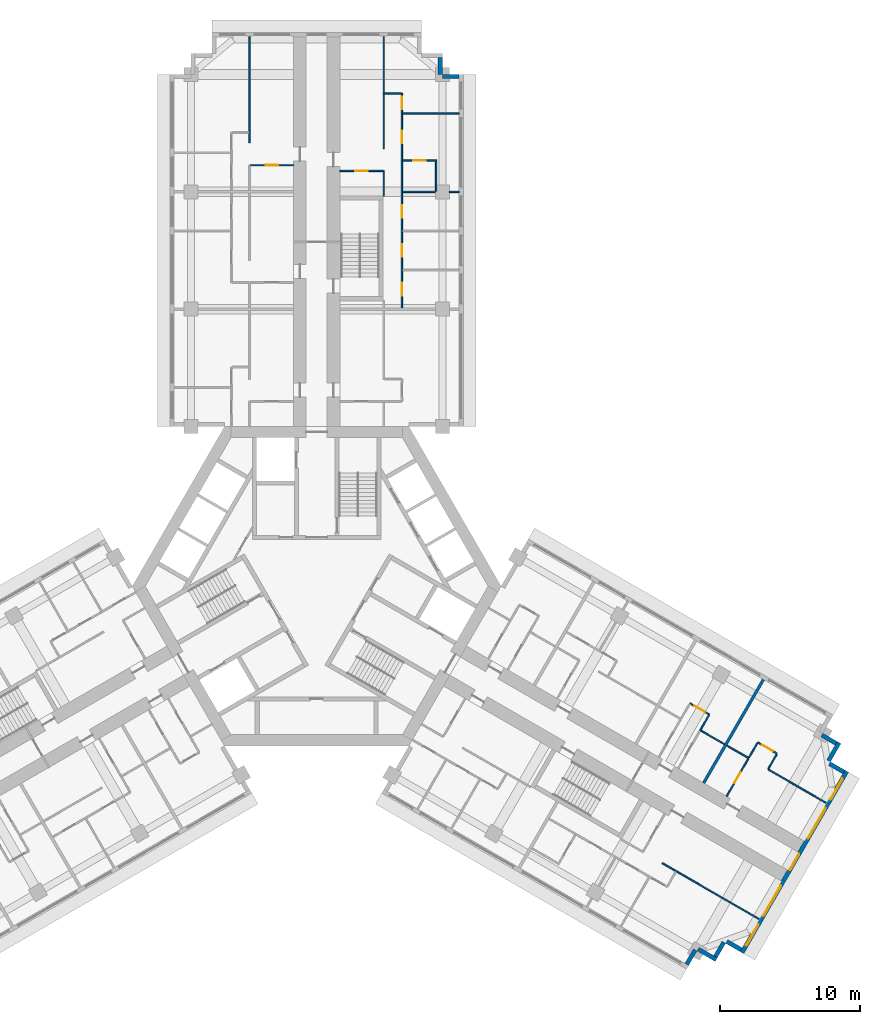
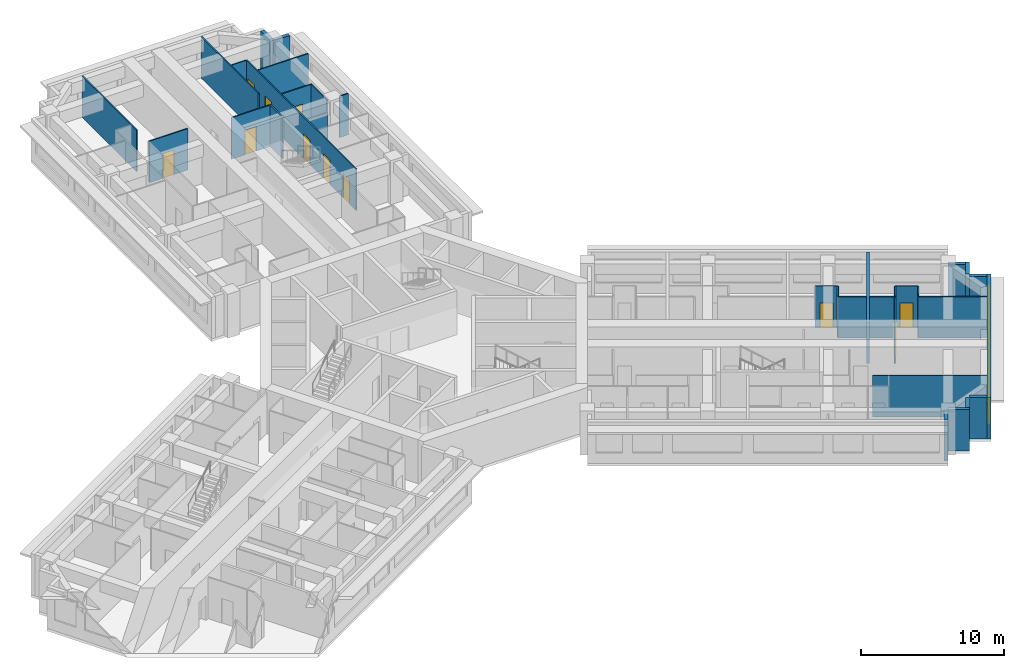
# One storey, part 10 of 12: 33 walls, 11 doors, 5 windows, 16 openings.
"""IFC4 building model written with IfcOpenShell, lengths in metres."""

from ifc_helpers import new_model, si_unit, direction, frame, frame_2d, origin, place, context, subcontext, project, spatial, rectangle, extrude, material, layer, layer_set, type_object, element, fill, save


model = new_model("IFC4")

# Units and contexts
model_context = context("Model", 3, precision=1e-05, world=origin(), true_north=direction((0.0, 1.0)))
body_context = subcontext(model_context, "Body", "Model", "MODEL_VIEW")
ifc_project = project(units=[si_unit("LENGTHUNIT", "METRE"), si_unit("AREAUNIT", "SQUARE_METRE"), si_unit("VOLUMEUNIT", "CUBIC_METRE"), si_unit("PLANEANGLEUNIT", "RADIAN"), si_unit("MASSUNIT", "GRAM", prefix="KILO")], contexts=[model_context])

# Site, building, storey
site_placement = place(None, origin())
site = spatial("IfcSite", under=ifc_project, at=site_placement, CompositionType="ELEMENT")
building_placement = place(site_placement, origin())
building = spatial("IfcBuilding", under=site, at=building_placement, Name="Impinga Residences", CompositionType="ELEMENT")
storey_placement = place(building_placement, frame((0.0, 0.0, 162.25)))
storey = spatial("IfcBuildingStorey", under=building, at=storey_placement, Name="L40", CompositionType="ELEMENT", Elevation=162.25)

# Walls
ifc_material_1 = material(Name="Terracotta rainscreen on blockwork", Category="masonry")
ifc_layer_1 = layer(ifc_material_1, 0.300048828125)
ifc_layer_set_1 = layer_set([ifc_layer_1], Name="EW1 external wall, terracotta rainscreen on blockwork 300")
wall_type_1 = type_object("IfcWallType", Name="EW1 external wall, terracotta rainscreen on blockwork 300", PredefinedType="SOLIDWALL", material=ifc_layer_set_1)
wall_1_placement = place(storey_placement, frame((8.85009765625, 37.83154296875, 0.0), z_axis=(0.0, 0.0, 1.0), x_axis=(0.0, -1.0, 0.0)))
element("IfcWall", 1, at=wall_1_placement, inside=storey, type_object=wall_type_1, Name="External wall EW1 L40", PredefinedType="SOLIDWALL", context=body_context, shape_type="SweptSolid", body=[
    extrude(rectangle(XDim=1.199951171875, YDim=0.300048828125, at=frame_2d((0.60009765625, 0.0))), origin(), (0.0, 0.0, 1.0), 3.530029296875),
])
for number, where, z_axis, x_axis, name in (
    (2, (9.0048828125, 36.4814453125, 0.0), (0.0, 0.0, 1.0), (1.0, 0.0, 0.0), "External wall EW1 L40"),
    (3, (36.153076171875, -10.654052734375, 0.0), (0.0, 0.0, 1.0), (0.866059708757, -0.499940577336, 0.0), "External wall EW1 L40"),
):
    element("IfcWall", number, at=place(storey_placement, frame(where, z_axis=z_axis, x_axis=x_axis)), inside=storey, type_object=wall_type_1, Name=name, PredefinedType="SOLIDWALL", context=body_context, shape_type="SweptSolid", body=[
        extrude(rectangle(XDim=1.195068359375, YDim=0.300048828125, at=frame_2d((0.59765625, 0.0))), origin(), (0.0, 0.0, 1.0), 3.530029296875),
    ])
wall_2_placement = place(storey_placement, frame((37.39306640625, -11.196533203125, 0.0), z_axis=(0.0, 0.0, 1.0), x_axis=(-0.499990139034, -0.866031096941, 0.0)))
element("IfcWall", 4, at=wall_2_placement, inside=storey, type_object=wall_type_1, Name="External wall EW1 L40", PredefinedType="SOLIDWALL", context=body_context, shape_type="SweptSolid", body=[
    extrude(rectangle(XDim=1.5, YDim=0.300048828125, at=frame_2d((0.75, 0.0))), origin(), (0.0, 0.0, 1.0), 3.530029296875),
])
wall_3_placement = place(storey_placement, frame((36.7021484375, -12.702880859375, 0.0), z_axis=(0.0, 0.0, 1.0), x_axis=(0.865971243484, -0.500093796661, 0.0)))
element("IfcWall", 5, at=wall_3_placement, inside=storey, type_object=wall_type_1, Name="External wall EW1 L40", PredefinedType="SOLIDWALL", context=body_context, shape_type="SweptSolid", body=[
    extrude(rectangle(XDim=1.195068359375, YDim=0.300048828125, at=frame_2d((0.59765625, 0.0))), origin(), (0.0, 0.0, 1.0), 3.530029296875),
])

# Wall, openings, windows
wall_4_placement = place(storey_placement, frame((37.94189453125, -13.24560546875, 0.0), z_axis=(0.0, 0.0, 1.0), x_axis=(-0.500004234368, -0.866022959057, 0.0)))
wall_4 = element("IfcWall", 6, at=wall_4_placement, inside=storey, type_object=wall_type_1, Name="External wall EW1 L40", PredefinedType="SOLIDWALL", context=body_context, shape_type="SweptSolid", body=[
    extrude(rectangle(XDim=14.999755859375, YDim=0.300048828125, at=frame_2d((7.5, 0.0))), origin(), (0.0, 0.0, 1.0), 3.530029296875),
])
opening_1_placement = place(wall_4_placement, frame((0.60009765625, 0.0, 0.89990234375)))
opening_1 = element("IfcOpeningElement", 7, at=opening_1_placement, cuts=wall_4, Name="Opening W1", PredefinedType="OPENING", context=body_context, shape_type="SweptSolid", body=[
    extrude(rectangle(XDim=1.75, YDim=2.050048828125, at=frame_2d((0.875, 1.02490234375))), frame((0.0, 0.159912109375, 0.0), z_axis=(0.0, -1.0, 0.0), x_axis=(1.0, 0.0, 0.0)), (0.0, 0.0, 1.0), 0.320068359375),
])
opening_2_placement = place(wall_4_placement, frame((3.050048828125, 0.0, 0.89990234375)))
opening_2 = element("IfcOpeningElement", 8, at=opening_2_placement, cuts=wall_4, Name="Opening W2", PredefinedType="OPENING", context=body_context, shape_type="SweptSolid", body=[
    extrude(rectangle(XDim=2.5, YDim=2.050048828125, at=frame_2d((1.25, 1.02490234375))), frame((0.0, 0.159912109375, 0.0), z_axis=(0.0, -1.0, 0.0), x_axis=(1.0, 0.0, 0.0)), (0.0, 0.0, 1.0), 0.320068359375),
])
opening_3_placement = place(wall_4_placement, frame((6.85009765625, 0.0, 0.89990234375)))
opening_3 = element("IfcOpeningElement", 9, at=opening_3_placement, cuts=wall_4, Name="Opening WE1", PredefinedType="OPENING", context=body_context, shape_type="SweptSolid", body=[
    extrude(rectangle(XDim=1.300048828125, YDim=2.050048828125, at=frame_2d((0.64990234375, 1.02490234375))), frame((0.0, 0.159912109375, 0.0), z_axis=(0.0, -1.0, 0.0), x_axis=(1.0, 0.0, 0.0)), (0.0, 0.0, 1.0), 0.320068359375),
])
opening_4_placement = place(wall_4_placement, frame((9.449951171875, 0.0, 0.89990234375)))
opening_4 = element("IfcOpeningElement", 10, at=opening_4_placement, cuts=wall_4, Name="Opening W2", PredefinedType="OPENING", context=body_context, shape_type="SweptSolid", body=[
    extrude(rectangle(XDim=2.5, YDim=2.050048828125, at=frame_2d((1.25, 1.02490234375))), frame((0.0, 0.159912109375, 0.0), z_axis=(0.0, -1.0, 0.0), x_axis=(1.0, 0.0, 0.0)), (0.0, 0.0, 1.0), 0.320068359375),
])
opening_5_placement = place(wall_4_placement, frame((12.64990234375, 0.0, 0.89990234375)))
opening_5 = element("IfcOpeningElement", 11, at=opening_5_placement, cuts=wall_4, Name="Opening W1", PredefinedType="OPENING", context=body_context, shape_type="SweptSolid", body=[
    extrude(rectangle(XDim=1.75, YDim=2.050048828125, at=frame_2d((0.875, 1.02490234375))), frame((0.0, 0.159912109375, 0.0), z_axis=(0.0, -1.0, 0.0), x_axis=(1.0, 0.0, 0.0)), (0.0, 0.0, 1.0), 0.320068359375),
])
ifc_material_2 = material(Name="Aluminium window, clear double glazing", Category="aluminium")
window_type_1 = type_object("IfcWindowType", Name="W1 ribbon window 1750x2050", PartitioningType="SINGLE_PANEL", PredefinedType="WINDOW", material=ifc_material_2)
window_1_placement = place(opening_1_placement, origin())
window_1 = element("IfcWindow", 12, at=window_1_placement, inside=storey, type_object=window_type_1, Name="Window L40", OverallHeight=2.050048828125, OverallWidth=1.75, PartitioningType="SINGLE_PANEL", PredefinedType="WINDOW", context=body_context, shape_type="SweptSolid", body=[
    extrude(rectangle(XDim=1.75, YDim=2.050048828125, at=frame_2d((0.875, 1.02490234375))), frame((0.0, 0.030029296875, 0.0), z_axis=(0.0, -1.0, 0.0), x_axis=(1.0, 0.0, 0.0)), (0.0, 0.0, 1.0), 0.06005859375),
])
fill(opening_1, window_1)
window_2_placement = place(opening_5_placement, origin())
window_2 = element("IfcWindow", 13, at=window_2_placement, inside=storey, type_object=window_type_1, Name="Window L40", OverallHeight=2.050048828125, OverallWidth=1.75, PartitioningType="SINGLE_PANEL", PredefinedType="WINDOW", context=body_context, shape_type="SweptSolid", body=[
    extrude(rectangle(XDim=1.75, YDim=2.050048828125, at=frame_2d((0.875, 1.02490234375))), frame((0.0, 0.030029296875, 0.0), z_axis=(0.0, -1.0, 0.0), x_axis=(1.0, 0.0, 0.0)), (0.0, 0.0, 1.0), 0.06005859375),
])
fill(opening_5, window_2)
window_type_2 = type_object("IfcWindowType", Name="W2 ribbon window 2500x2050", PartitioningType="SINGLE_PANEL", PredefinedType="WINDOW", material=ifc_material_2)
window_3_placement = place(opening_2_placement, origin())
window_3 = element("IfcWindow", 14, at=window_3_placement, inside=storey, type_object=window_type_2, Name="Window L40", OverallHeight=2.050048828125, OverallWidth=2.5, PartitioningType="SINGLE_PANEL", PredefinedType="WINDOW", context=body_context, shape_type="SweptSolid", body=[
    extrude(rectangle(XDim=2.5, YDim=2.050048828125, at=frame_2d((1.25, 1.02490234375))), frame((0.0, 0.030029296875, 0.0), z_axis=(0.0, -1.0, 0.0), x_axis=(1.0, 0.0, 0.0)), (0.0, 0.0, 1.0), 0.06005859375),
])
fill(opening_2, window_3)
window_4_placement = place(opening_4_placement, origin())
window_4 = element("IfcWindow", 15, at=window_4_placement, inside=storey, type_object=window_type_2, Name="Window L40", OverallHeight=2.050048828125, OverallWidth=2.5, PartitioningType="SINGLE_PANEL", PredefinedType="WINDOW", context=body_context, shape_type="SweptSolid", body=[
    extrude(rectangle(XDim=2.5, YDim=2.050048828125, at=frame_2d((1.25, 1.02490234375))), frame((0.0, 0.030029296875, 0.0), z_axis=(0.0, -1.0, 0.0), x_axis=(1.0, 0.0, 0.0)), (0.0, 0.0, 1.0), 0.06005859375),
])
fill(opening_4, window_4)
window_type_3 = type_object("IfcWindowType", Name="WE1 corridor window 1300x2050", PartitioningType="SINGLE_PANEL", PredefinedType="WINDOW", material=ifc_material_2)
window_5_placement = place(opening_3_placement, origin())
window_5 = element("IfcWindow", 16, at=window_5_placement, inside=storey, type_object=window_type_3, Name="Window L40", OverallHeight=2.050048828125, OverallWidth=1.300048828125, PartitioningType="SINGLE_PANEL", PredefinedType="WINDOW", context=body_context, shape_type="SweptSolid", body=[
    extrude(rectangle(XDim=1.300048828125, YDim=2.050048828125, at=frame_2d((0.64990234375, 1.02490234375))), frame((0.0, 0.030029296875, 0.0), z_axis=(0.0, -1.0, 0.0), x_axis=(1.0, 0.0, 0.0)), (0.0, 0.0, 1.0), 0.06005859375),
])
fill(opening_3, window_5)

# Walls
wall_5_placement = place(storey_placement, frame((30.38720703125, -26.031005859375, 0.0), z_axis=(0.0, 0.0, 1.0), x_axis=(-0.866059708757, 0.499940577336, 0.0)))
element("IfcWall", 17, at=wall_5_placement, inside=storey, type_object=wall_type_1, Name="External wall EW1 L40", PredefinedType="SOLIDWALL", context=body_context, shape_type="SweptSolid", body=[
    extrude(rectangle(XDim=1.195068359375, YDim=0.300048828125, at=frame_2d((0.59765625, 0.0))), origin(), (0.0, 0.0, 1.0), 3.530029296875),
])
wall_6_placement = place(storey_placement, frame((29.14306640625, -25.48583984375, 0.0), z_axis=(0.0, 0.0, 1.0), x_axis=(-0.500033551112, -0.866006032174, 0.0)))
element("IfcWall", 18, at=wall_6_placement, inside=storey, type_object=wall_type_1, Name="External wall EW1 L40", PredefinedType="SOLIDWALL", context=body_context, shape_type="SweptSolid", body=[
    extrude(rectangle(XDim=1.2001953125, YDim=0.300048828125, at=frame_2d((0.60009765625, 0.0))), origin(), (0.0, 0.0, 1.0), 3.530029296875),
])
wall_7_placement = place(storey_placement, frame((28.597900390625, -26.72998046875, 0.0), z_axis=(0.0, 0.0, 1.0), x_axis=(-0.866031096941, 0.499990139034, 0.0)))
element("IfcWall", 19, at=wall_7_placement, inside=storey, type_object=wall_type_1, Name="External wall EW1 L40", PredefinedType="SOLIDWALL", context=body_context, shape_type="SweptSolid", body=[
    extrude(rectangle(XDim=1.5, YDim=0.300048828125, at=frame_2d((0.75, 0.0))), origin(), (0.0, 0.0, 1.0), 3.530029296875),
])
wall_8_placement = place(storey_placement, frame((27.091552734375, -26.039306640625, 0.0), z_axis=(0.0, 0.0, 1.0), x_axis=(-0.500093796661, -0.865971243484, 0.0)))
element("IfcWall", 20, at=wall_8_placement, inside=storey, type_object=wall_type_1, Name="External wall EW1 L40", PredefinedType="SOLIDWALL", context=body_context, shape_type="SweptSolid", body=[
    extrude(rectangle(XDim=1.195068359375, YDim=0.300048828125, at=frame_2d((0.59765625, 0.0))), origin(), (0.0, 0.0, 1.0), 3.530029296875),
])
ifc_material_3 = material(Name="Gypsum board on steel studs", Category="steel")
ifc_layer_2 = layer(ifc_material_3, 0.10009765625)
ifc_layer_set_2 = layer_set([ifc_layer_2], Name="Gypsum board on steel studs")
wall_type_2 = type_object("IfcWallType", Name="IP1 partition 100", PredefinedType="PARTITIONING", material=ifc_layer_set_2)
wall_9_placement = place(storey_placement, frame((-4.800048828125, 31.7314453125, 0.0), z_axis=(0.0, 0.0, 1.0), x_axis=(0.0, 1.0, 0.0)))
element("IfcWall", 21, at=wall_9_placement, inside=storey, type_object=wall_type_2, Name="Partition L40-NA3:DIV1", PredefinedType="PARTITIONING", context=body_context, shape_type="SweptSolid", body=[
    extrude(rectangle(XDim=7.60009765625, YDim=0.10009765625, at=frame_2d((3.800048828125, 0.0))), origin(), (0.0, 0.0, 1.0), 3.530029296875),
])

# Wall, opening, door
wall_10_placement = place(storey_placement, frame((-1.64990234375, 30.131591796875, 0.0), z_axis=(0.0, 0.0, 1.0), x_axis=(-1.0, 0.0, 0.0)))
wall_10 = element("IfcWall", 22, at=wall_10_placement, inside=storey, type_object=wall_type_2, Name="Partition L40-NA3:IB1", PredefinedType="PARTITIONING", context=body_context, shape_type="SweptSolid", body=[
    extrude(rectangle(XDim=3.10009765625, YDim=0.10009765625, at=frame_2d((1.550048828125, 0.0))), origin(), (0.0, 0.0, 1.0), 3.530029296875),
])
opening_6_placement = place(wall_10_placement, frame((1.10009765625, 0.0, 0.0)))
opening_6 = element("IfcOpeningElement", 23, at=opening_6_placement, cuts=wall_10, Name="Opening D2", PredefinedType="OPENING", context=body_context, shape_type="SweptSolid", body=[
    extrude(rectangle(XDim=0.89990234375, YDim=2.10009765625, at=frame_2d((0.449951171875, 1.050048828125))), frame((0.0, 0.06005859375, 0.0), z_axis=(0.0, -1.0, 0.0), x_axis=(1.0, 0.0, 0.0)), (0.0, 0.0, 1.0), 0.1201171875),
])
ifc_material_4 = material(Name="Timber door set", Category="wood")
door_type = type_object("IfcDoorType", Name="D2 internal door 900x2100", OperationType="SINGLE_SWING_LEFT", PredefinedType="DOOR", material=ifc_material_4)
door_1_placement = place(opening_6_placement, origin())
door_1 = element("IfcDoor", 24, at=door_1_placement, inside=storey, type_object=door_type, Name="Apartment L40-NA3 bathroom door", OperationType="SINGLE_SWING_LEFT", OverallHeight=2.10009765625, OverallWidth=0.89990234375, PredefinedType="DOOR", context=body_context, shape_type="SweptSolid", body=[
    extrude(rectangle(XDim=0.89990234375, YDim=2.10009765625, at=frame_2d((0.449951171875, 1.050048828125))), frame((0.0, 0.02490234375, 0.0), z_axis=(0.0, -1.0, 0.0), x_axis=(1.0, 0.0, 0.0)), (0.0, 0.0, 1.0), 0.050048828125),
])
fill(opening_6, door_1)

# Walls
wall_11_placement = place(storey_placement, frame((4.800048828125, 27.931640625, 0.0), z_axis=(0.0, 0.0, 1.0), x_axis=(0.0, 1.0, 0.0)))
element("IfcWall", 25, at=wall_11_placement, inside=storey, type_object=wall_type_2, Name="Partition L40-NF2:DIV1", PredefinedType="PARTITIONING", context=body_context, shape_type="SweptSolid", body=[
    extrude(rectangle(XDim=1.7998046875, YDim=0.10009765625, at=frame_2d((0.89990234375, 0.0))), origin(), (0.0, 0.0, 1.0), 3.530029296875),
])
wall_12_placement = place(storey_placement, frame((4.800048828125, 31.33154296875, 0.0), z_axis=(0.0, 0.0, 1.0), x_axis=(0.0, 1.0, 0.0)))
element("IfcWall", 26, at=wall_12_placement, inside=storey, type_object=wall_type_2, Name="Partition L40-NF2:DIV2", PredefinedType="PARTITIONING", context=body_context, shape_type="SweptSolid", body=[
    extrude(rectangle(XDim=8.0, YDim=0.10009765625, at=frame_2d((4.0, 0.0))), origin(), (0.0, 0.0, 1.0), 3.530029296875),
])

# Wall, openings, doors
wall_13_placement = place(storey_placement, frame((6.10009765625, 19.931640625, 0.0), z_axis=(0.0, 0.0, 1.0), x_axis=(0.0, 1.0, 0.0)))
wall_13 = element("IfcWall", 27, at=wall_13_placement, inside=storey, type_object=wall_type_2, Name="Partition L40-NF2:STRIP", PredefinedType="PARTITIONING", context=body_context, shape_type="SweptSolid", body=[
    extrude(rectangle(XDim=15.349853515625, YDim=0.10009765625, at=frame_2d((7.6748046875, 0.0))), origin(), (0.0, 0.0, 1.0), 3.530029296875),
])
opening_7_placement = place(wall_13_placement, frame((0.875, 0.0, 0.0)))
opening_7 = element("IfcOpeningElement", 28, at=opening_7_placement, cuts=wall_13, Name="Opening D2", PredefinedType="OPENING", context=body_context, shape_type="SweptSolid", body=[
    extrude(rectangle(XDim=0.89990234375, YDim=2.10009765625, at=frame_2d((0.449951171875, 1.050048828125))), frame((0.0, 0.06005859375, 0.0), z_axis=(0.0, -1.0, 0.0), x_axis=(1.0, 0.0, 0.0)), (0.0, 0.0, 1.0), 0.1201171875),
])
opening_8_placement = place(wall_13_placement, frame((3.64990234375, 0.0, 0.0)))
opening_8 = element("IfcOpeningElement", 29, at=opening_8_placement, cuts=wall_13, Name="Opening D2", PredefinedType="OPENING", context=body_context, shape_type="SweptSolid", body=[
    extrude(rectangle(XDim=0.89990234375, YDim=2.10009765625, at=frame_2d((0.449951171875, 1.050048828125))), frame((0.0, 0.06005859375, 0.0), z_axis=(0.0, -1.0, 0.0), x_axis=(1.0, 0.0, 0.0)), (0.0, 0.0, 1.0), 0.1201171875),
])
opening_9_placement = place(wall_13_placement, frame((6.449951171875, 0.0, 0.0)))
opening_9 = element("IfcOpeningElement", 30, at=opening_9_placement, cuts=wall_13, Name="Opening D2", PredefinedType="OPENING", context=body_context, shape_type="SweptSolid", body=[
    extrude(rectangle(XDim=0.89990234375, YDim=2.10009765625, at=frame_2d((0.449951171875, 1.050048828125))), frame((0.0, 0.06005859375, 0.0), z_axis=(0.0, -1.0, 0.0), x_axis=(1.0, 0.0, 0.0)), (0.0, 0.0, 1.0), 0.1201171875),
])
opening_10_placement = place(wall_13_placement, frame((11.77490234375, 0.0, 0.0)))
opening_10 = element("IfcOpeningElement", 31, at=opening_10_placement, cuts=wall_13, Name="Opening D2", PredefinedType="OPENING", context=body_context, shape_type="SweptSolid", body=[
    extrude(rectangle(XDim=0.89990234375, YDim=2.10009765625, at=frame_2d((0.449951171875, 1.050048828125))), frame((0.0, 0.06005859375, 0.0), z_axis=(0.0, -1.0, 0.0), x_axis=(1.0, 0.0, 0.0)), (0.0, 0.0, 1.0), 0.1201171875),
])
opening_11_placement = place(wall_13_placement, frame((14.199951171875, 0.0, 0.0)))
opening_11 = element("IfcOpeningElement", 32, at=opening_11_placement, cuts=wall_13, Name="Opening D2", PredefinedType="OPENING", context=body_context, shape_type="SweptSolid", body=[
    extrude(rectangle(XDim=0.89990234375, YDim=2.10009765625, at=frame_2d((0.449951171875, 1.050048828125))), frame((0.0, 0.06005859375, 0.0), z_axis=(0.0, -1.0, 0.0), x_axis=(1.0, 0.0, 0.0)), (0.0, 0.0, 1.0), 0.1201171875),
])
door_2_placement = place(opening_7_placement, origin())
door_2 = element("IfcDoor", 33, at=door_2_placement, inside=storey, type_object=door_type, Name="Apartment L40-NF2 room door", OperationType="SINGLE_SWING_LEFT", OverallHeight=2.10009765625, OverallWidth=0.89990234375, PredefinedType="DOOR", context=body_context, shape_type="SweptSolid", body=[
    extrude(rectangle(XDim=0.89990234375, YDim=2.10009765625, at=frame_2d((0.449951171875, 1.050048828125))), frame((0.0, 0.02490234375, 0.0), z_axis=(0.0, -1.0, 0.0), x_axis=(1.0, 0.0, 0.0)), (0.0, 0.0, 1.0), 0.050048828125),
])
fill(opening_7, door_2)
door_3_placement = place(opening_8_placement, origin())
door_3 = element("IfcDoor", 34, at=door_3_placement, inside=storey, type_object=door_type, Name="Apartment L40-NF2 room door", OperationType="SINGLE_SWING_LEFT", OverallHeight=2.10009765625, OverallWidth=0.89990234375, PredefinedType="DOOR", context=body_context, shape_type="SweptSolid", body=[
    extrude(rectangle(XDim=0.89990234375, YDim=2.10009765625, at=frame_2d((0.449951171875, 1.050048828125))), frame((0.0, 0.02490234375, 0.0), z_axis=(0.0, -1.0, 0.0), x_axis=(1.0, 0.0, 0.0)), (0.0, 0.0, 1.0), 0.050048828125),
])
fill(opening_8, door_3)
door_4_placement = place(opening_9_placement, origin())
door_4 = element("IfcDoor", 35, at=door_4_placement, inside=storey, type_object=door_type, Name="Apartment L40-NF2 room door", OperationType="SINGLE_SWING_LEFT", OverallHeight=2.10009765625, OverallWidth=0.89990234375, PredefinedType="DOOR", context=body_context, shape_type="SweptSolid", body=[
    extrude(rectangle(XDim=0.89990234375, YDim=2.10009765625, at=frame_2d((0.449951171875, 1.050048828125))), frame((0.0, 0.02490234375, 0.0), z_axis=(0.0, -1.0, 0.0), x_axis=(1.0, 0.0, 0.0)), (0.0, 0.0, 1.0), 0.050048828125),
])
fill(opening_9, door_4)
door_5_placement = place(opening_10_placement, origin())
door_5 = element("IfcDoor", 36, at=door_5_placement, inside=storey, type_object=door_type, Name="Apartment L40-NF2 room door", OperationType="SINGLE_SWING_RIGHT", OverallHeight=2.10009765625, OverallWidth=0.89990234375, PredefinedType="DOOR", context=body_context, shape_type="SweptSolid", body=[
    extrude(rectangle(XDim=0.89990234375, YDim=2.10009765625, at=frame_2d((0.449951171875, 1.050048828125))), frame((0.0, 0.02490234375, 0.0), z_axis=(0.0, -1.0, 0.0), x_axis=(1.0, 0.0, 0.0)), (0.0, 0.0, 1.0), 0.050048828125),
])
fill(opening_10, door_5)
door_6_placement = place(opening_11_placement, origin())
door_6 = element("IfcDoor", 37, at=door_6_placement, inside=storey, type_object=door_type, Name="Apartment L40-NF2 room door", OperationType="SINGLE_SWING_RIGHT", OverallHeight=2.10009765625, OverallWidth=0.89990234375, PredefinedType="DOOR", context=body_context, shape_type="SweptSolid", body=[
    extrude(rectangle(XDim=0.89990234375, YDim=2.10009765625, at=frame_2d((0.449951171875, 1.050048828125))), frame((0.0, 0.02490234375, 0.0), z_axis=(0.0, -1.0, 0.0), x_axis=(1.0, 0.0, 0.0)), (0.0, 0.0, 1.0), 0.050048828125),
])
fill(opening_11, door_6)

# Wall
wall_14_placement = place(storey_placement, frame((4.85009765625, 35.281494140625, 0.0), z_axis=(0.0, 0.0, 1.0), x_axis=(1.0, 0.0, 0.0)))
element("IfcWall", 38, at=wall_14_placement, inside=storey, type_object=wall_type_2, Name="Partition L40-NF2:SE1", PredefinedType="PARTITIONING", context=body_context, shape_type="SweptSolid", body=[
    extrude(rectangle(XDim=1.199951171875, YDim=0.10009765625, at=frame_2d((0.60009765625, 0.0))), origin(), (0.0, 0.0, 1.0), 3.530029296875),
])

# Wall, opening, door
wall_15_placement = place(storey_placement, frame((1.64990234375, 29.7314453125, 0.0), z_axis=(0.0, 0.0, 1.0), x_axis=(1.0, 0.0, 0.0)))
wall_15 = element("IfcWall", 39, at=wall_15_placement, inside=storey, type_object=wall_type_2, Name="Partition L40-NF2:IB1", PredefinedType="PARTITIONING", context=body_context, shape_type="SweptSolid", body=[
    extrude(rectangle(XDim=3.10009765625, YDim=0.10009765625, at=frame_2d((1.550048828125, 0.0))), origin(), (0.0, 0.0, 1.0), 3.530029296875),
])
opening_12_placement = place(wall_15_placement, frame((1.10009765625, 0.0, 0.0)))
opening_12 = element("IfcOpeningElement", 40, at=opening_12_placement, cuts=wall_15, Name="Opening D2", PredefinedType="OPENING", context=body_context, shape_type="SweptSolid", body=[
    extrude(rectangle(XDim=0.89990234375, YDim=2.10009765625, at=frame_2d((0.449951171875, 1.050048828125))), frame((0.0, 0.06005859375, 0.0), z_axis=(0.0, -1.0, 0.0), x_axis=(1.0, 0.0, 0.0)), (0.0, 0.0, 1.0), 0.1201171875),
])
door_7_placement = place(opening_12_placement, origin())
door_7 = element("IfcDoor", 41, at=door_7_placement, inside=storey, type_object=door_type, Name="Apartment L40-NF2 bathroom door", OperationType="SINGLE_SWING_LEFT", OverallHeight=2.10009765625, OverallWidth=0.89990234375, PredefinedType="DOOR", context=body_context, shape_type="SweptSolid", body=[
    extrude(rectangle(XDim=0.89990234375, YDim=2.10009765625, at=frame_2d((0.449951171875, 1.050048828125))), frame((0.0, 0.02490234375, 0.0), z_axis=(0.0, -1.0, 0.0), x_axis=(1.0, 0.0, 0.0)), (0.0, 0.0, 1.0), 0.050048828125),
])
fill(opening_12, door_7)

# Walls
wall_16_placement = place(storey_placement, frame((6.14990234375, 28.2314453125, 0.0), z_axis=(0.0, 0.0, 1.0), x_axis=(1.0, 0.0, 0.0)))
element("IfcWall", 42, at=wall_16_placement, inside=storey, type_object=wall_type_2, Name="Partition L40-NF2:OB3", PredefinedType="PARTITIONING", context=body_context, shape_type="SweptSolid", body=[
    extrude(rectangle(XDim=2.35009765625, YDim=0.10009765625, at=frame_2d((1.175048828125, 0.0))), origin(), (0.0, 0.0, 1.0), 2.47998046875),
])
wall_17_placement = place(storey_placement, frame((9.5, 28.2314453125, 0.0), z_axis=(0.0, 0.0, 1.0), x_axis=(1.0, 0.0, 0.0)))
element("IfcWall", 43, at=wall_17_placement, inside=storey, type_object=wall_type_2, Name="Partition L40-NF2:OB3b", PredefinedType="PARTITIONING", context=body_context, shape_type="SweptSolid", body=[
    extrude(rectangle(XDim=0.699951171875, YDim=0.10009765625, at=frame_2d((0.35009765625, 0.0))), origin(), (0.0, 0.0, 1.0), 3.530029296875),
])
wall_18_placement = place(storey_placement, frame((6.14990234375, 33.83154296875, 0.0), z_axis=(0.0, 0.0, 1.0), x_axis=(1.0, 0.0, 0.0)))
element("IfcWall", 44, at=wall_18_placement, inside=storey, type_object=wall_type_2, Name="Partition L40-NF2:OB4", PredefinedType="PARTITIONING", context=body_context, shape_type="SweptSolid", body=[
    extrude(rectangle(XDim=4.050048828125, YDim=0.10009765625, at=frame_2d((2.02490234375, 0.0))), origin(), (0.0, 0.0, 1.0), 3.530029296875),
])

# Wall, opening, door
wall_19_placement = place(storey_placement, frame((6.14990234375, 30.4814453125, 0.0), z_axis=(0.0, 0.0, 1.0), x_axis=(1.0, 0.0, 0.0)))
wall_19 = element("IfcWall", 45, at=wall_19_placement, inside=storey, type_object=wall_type_2, Name="Partition L40-NF2:EN1", PredefinedType="PARTITIONING", context=body_context, shape_type="SweptSolid", body=[
    extrude(rectangle(XDim=2.4501953125, YDim=0.10009765625, at=frame_2d((1.22509765625, 0.0))), origin(), (0.0, 0.0, 1.0), 3.530029296875),
])
opening_13_placement = place(wall_19_placement, frame((0.75, 0.0, 0.0)))
opening_13 = element("IfcOpeningElement", 46, at=opening_13_placement, cuts=wall_19, Name="Opening D2", PredefinedType="OPENING", context=body_context, shape_type="SweptSolid", body=[
    extrude(rectangle(XDim=0.89990234375, YDim=2.10009765625, at=frame_2d((0.449951171875, 1.050048828125))), frame((0.0, 0.06005859375, 0.0), z_axis=(0.0, -1.0, 0.0), x_axis=(1.0, 0.0, 0.0)), (0.0, 0.0, 1.0), 0.1201171875),
])
door_8_placement = place(opening_13_placement, origin())
door_8 = element("IfcDoor", 47, at=door_8_placement, inside=storey, type_object=door_type, Name="Apartment L40-NF2 en-suite door", OperationType="SINGLE_SWING_LEFT", OverallHeight=2.10009765625, OverallWidth=0.89990234375, PredefinedType="DOOR", context=body_context, shape_type="SweptSolid", body=[
    extrude(rectangle(XDim=0.89990234375, YDim=2.10009765625, at=frame_2d((0.449951171875, 1.050048828125))), frame((0.0, 0.02490234375, 0.0), z_axis=(0.0, -1.0, 0.0), x_axis=(1.0, 0.0, 0.0)), (0.0, 0.0, 1.0), 0.050048828125),
])
fill(opening_13, door_8)

# Walls
wall_20_placement = place(storey_placement, frame((8.550048828125, 28.281494140625, 0.0), z_axis=(0.0, 0.0, 1.0), x_axis=(0.0, 1.0, 0.0)))
element("IfcWall", 48, at=wall_20_placement, inside=storey, type_object=wall_type_2, Name="Partition L40-NF2:EN2", PredefinedType="PARTITIONING", context=body_context, shape_type="SweptSolid", body=[
    extrude(rectangle(XDim=2.150146484375, YDim=0.10009765625, at=frame_2d((1.0751953125, 0.0))), origin(), (0.0, 0.0, 1.0), 3.530029296875),
])
wall_21_placement = place(storey_placement, frame((27.45556640625, -10.308837890625, 0.0), z_axis=(0.0, 0.0, 1.0), x_axis=(0.866010750942, -0.50002537861, 0.0)))
element("IfcWall", 49, at=wall_21_placement, inside=storey, type_object=wall_type_2, Name="Partition L40-EA3:DIV1", PredefinedType="PARTITIONING", context=body_context, shape_type="SweptSolid", body=[
    extrude(rectangle(XDim=2.0, YDim=0.10009765625, at=frame_2d((1.0, 0.0))), origin(), (0.0, 0.0, 1.0), 3.530029296875),
])

# Wall, opening, door
wall_22_placement = place(storey_placement, frame((26.7197265625, -8.383056640625, 0.0), z_axis=(0.0, 0.0, 1.0), x_axis=(0.866028054938, -0.499995408039, 0.0)))
wall_22 = element("IfcWall", 50, at=wall_22_placement, inside=storey, type_object=wall_type_2, Name="Partition L40-EA3:STRIP", PredefinedType="PARTITIONING", context=body_context, shape_type="SweptSolid", body=[
    extrude(rectangle(XDim=1.60009765625, YDim=0.10009765625, at=frame_2d((0.800048828125, 0.0))), origin(), (0.0, 0.0, 1.0), 3.530029296875),
])
opening_14_placement = place(wall_22_placement, frame((0.35009765625, 0.0, 0.0)))
opening_14 = element("IfcOpeningElement", 51, at=opening_14_placement, cuts=wall_22, Name="Opening D2", PredefinedType="OPENING", context=body_context, shape_type="SweptSolid", body=[
    extrude(rectangle(XDim=0.89990234375, YDim=2.10009765625, at=frame_2d((0.449951171875, 1.050048828125))), frame((0.0, 0.06005859375, 0.0), z_axis=(0.0, -1.0, 0.0), x_axis=(1.0, 0.0, 0.0)), (0.0, 0.0, 1.0), 0.1201171875),
])
door_9_placement = place(opening_14_placement, origin())
door_9 = element("IfcDoor", 52, at=door_9_placement, inside=storey, type_object=door_type, Name="Apartment L40-EA3 room door", OperationType="SINGLE_SWING_LEFT", OverallHeight=2.10009765625, OverallWidth=0.89990234375, PredefinedType="DOOR", context=body_context, shape_type="SweptSolid", body=[
    extrude(rectangle(XDim=0.89990234375, YDim=2.10009765625, at=frame_2d((0.449951171875, 1.050048828125))), frame((0.0, 0.02490234375, 0.0), z_axis=(0.0, -1.0, 0.0), x_axis=(1.0, 0.0, 0.0)), (0.0, 0.0, 1.0), 0.050048828125),
])
fill(opening_14, door_9)

# Walls
wall_23_placement = place(storey_placement, frame((27.48046875, -10.265625, 0.0), z_axis=(0.0, 0.0, 1.0), x_axis=(0.500033551112, 0.866006032174, 0.0)))
element("IfcWall", 53, at=wall_23_placement, inside=storey, type_object=wall_type_2, Name="Partition L40-EA3:SE1", PredefinedType="PARTITIONING", context=body_context, shape_type="SweptSolid", body=[
    extrude(rectangle(XDim=1.2001953125, YDim=0.10009765625, at=frame_2d((0.60009765625, 0.0))), origin(), (0.0, 0.0, 1.0), 3.530029296875),
])
wall_24_placement = place(storey_placement, frame((29.360595703125, -11.408935546875, 0.0), z_axis=(0.0, 0.0, 1.0), x_axis=(0.866047807691, -0.499961193289, 0.0)))
element("IfcWall", 54, at=wall_24_placement, inside=storey, type_object=wall_type_2, Name="Partition L40-EA4:DIV0", PredefinedType="PARTITIONING", context=body_context, shape_type="SweptSolid", body=[
    extrude(rectangle(XDim=1.800048828125, YDim=0.10009765625, at=frame_2d((0.89990234375, 0.0))), origin(), (0.0, 0.0, 1.0), 3.530029296875),
])
wall_25_placement = place(storey_placement, frame((32.30517578125, -13.10888671875, 0.0), z_axis=(0.0, 0.0, 1.0), x_axis=(0.866037363387, -0.499979284789, 0.0)))
element("IfcWall", 55, at=wall_25_placement, inside=storey, type_object=wall_type_2, Name="Partition L40-EA4:DIV1", PredefinedType="PARTITIONING", context=body_context, shape_type="SweptSolid", body=[
    extrude(rectangle(XDim=4.800048828125, YDim=0.10009765625, at=frame_2d((2.39990234375, 0.0))), origin(), (0.0, 0.0, 1.0), 3.530029296875),
])

# Wall, opening, door
wall_26_placement = place(storey_placement, frame((31.569580078125, -11.18310546875, 0.0), z_axis=(0.0, 0.0, 1.0), x_axis=(0.866055983265, -0.499947031044, 0.0)))
wall_26 = element("IfcWall", 56, at=wall_26_placement, inside=storey, type_object=wall_type_2, Name="Partition L40-EA4:STRIP", PredefinedType="PARTITIONING", context=body_context, shape_type="SweptSolid", body=[
    extrude(rectangle(XDim=1.599853515625, YDim=0.10009765625, at=frame_2d((0.7998046875, 0.0))), origin(), (0.0, 0.0, 1.0), 3.530029296875),
])
opening_15_placement = place(wall_26_placement, frame((0.35009765625, 0.0, 0.0)))
opening_15 = element("IfcOpeningElement", 57, at=opening_15_placement, cuts=wall_26, Name="Opening D2", PredefinedType="OPENING", context=body_context, shape_type="SweptSolid", body=[
    extrude(rectangle(XDim=0.89990234375, YDim=2.10009765625, at=frame_2d((0.449951171875, 1.050048828125))), frame((0.0, 0.06005859375, 0.0), z_axis=(0.0, -1.0, 0.0), x_axis=(1.0, 0.0, 0.0)), (0.0, 0.0, 1.0), 0.1201171875),
])
door_10_placement = place(opening_15_placement, origin())
door_10 = element("IfcDoor", 58, at=door_10_placement, inside=storey, type_object=door_type, Name="Apartment L40-EA4 room door", OperationType="SINGLE_SWING_LEFT", OverallHeight=2.10009765625, OverallWidth=0.89990234375, PredefinedType="DOOR", context=body_context, shape_type="SweptSolid", body=[
    extrude(rectangle(XDim=0.89990234375, YDim=2.10009765625, at=frame_2d((0.449951171875, 1.050048828125))), frame((0.0, 0.02490234375, 0.0), z_axis=(0.0, -1.0, 0.0), x_axis=(1.0, 0.0, 0.0)), (0.0, 0.0, 1.0), 0.050048828125),
])
fill(opening_15, door_10)

# Walls
for number, where, z_axis, x_axis, name in (
    (59, (30.944580078125, -12.265625, 0.0), (0.0, 0.0, 1.0), (0.499880961361, 0.866094119867, 0.0), "Partition L40-EA4:SE0"),
    (60, (32.330078125, -13.0654296875, 0.0), (0.0, 0.0, 1.0), (0.50012165622, 0.865955154139, 0.0), "Partition L40-EA4:SE1"),
):
    element("IfcWall", number, at=place(storey_placement, frame(where, z_axis=z_axis, x_axis=x_axis)), inside=storey, type_object=wall_type_2, Name=name, PredefinedType="PARTITIONING", context=body_context, shape_type="SweptSolid", body=[
        extrude(rectangle(XDim=1.199951171875, YDim=0.10009765625, at=frame_2d((0.60009765625, 0.0))), origin(), (0.0, 0.0, 1.0), 3.530029296875),
    ])

# Wall, opening, door
wall_27_placement = place(storey_placement, frame((29.344482421875, -15.036865234375, 0.0), z_axis=(0.0, 0.0, 1.0), x_axis=(0.49999285859, 0.86602952684, 0.0)))
wall_27 = element("IfcWall", 61, at=wall_27_placement, inside=storey, type_object=wall_type_2, Name="Partition L40-EA4:IB1", PredefinedType="PARTITIONING", context=body_context, shape_type="SweptSolid", body=[
    extrude(rectangle(XDim=3.10009765625, YDim=0.10009765625, at=frame_2d((1.550048828125, 0.0))), origin(), (0.0, 0.0, 1.0), 3.530029296875),
])
opening_16_placement = place(wall_27_placement, frame((1.10009765625, 0.0, 0.0)))
opening_16 = element("IfcOpeningElement", 62, at=opening_16_placement, cuts=wall_27, Name="Opening D2", PredefinedType="OPENING", context=body_context, shape_type="SweptSolid", body=[
    extrude(rectangle(XDim=0.89990234375, YDim=2.10009765625, at=frame_2d((0.449951171875, 1.050048828125))), frame((0.0, 0.06005859375, 0.0), z_axis=(0.0, -1.0, 0.0), x_axis=(1.0, 0.0, 0.0)), (0.0, 0.0, 1.0), 0.1201171875),
])
door_11_placement = place(opening_16_placement, origin())
door_11 = element("IfcDoor", 63, at=door_11_placement, inside=storey, type_object=door_type, Name="Apartment L40-EA4 bathroom door", OperationType="SINGLE_SWING_LEFT", OverallHeight=2.10009765625, OverallWidth=0.89990234375, PredefinedType="DOOR", context=body_context, shape_type="SweptSolid", body=[
    extrude(rectangle(XDim=0.89990234375, YDim=2.10009765625, at=frame_2d((0.449951171875, 1.050048828125))), frame((0.0, 0.02490234375, 0.0), z_axis=(0.0, -1.0, 0.0), x_axis=(1.0, 0.0, 0.0)), (0.0, 0.0, 1.0), 0.050048828125),
])
fill(opening_16, door_11)

# Walls
wall_28_placement = place(storey_placement, frame((24.73388671875, -19.82275390625, 0.0), z_axis=(0.0, 0.0, 1.0), x_axis=(0.866026010844, -0.49999894854, 0.0)))
element("IfcWall", 64, at=wall_28_placement, inside=storey, type_object=wall_type_2, Name="Partition L40-EF2:DIV1", PredefinedType="PARTITIONING", context=body_context, shape_type="SweptSolid", body=[
    extrude(rectangle(XDim=8.0, YDim=0.10009765625, at=frame_2d((4.0, 0.0))), origin(), (0.0, 0.0, 1.0), 3.530029296875),
])
ifc_material_5 = material(Name="Concrete blockwork", Category="masonry")
ifc_layer_3 = layer(ifc_material_5, 0.199951171875)
ifc_layer_set_3 = layer_set([ifc_layer_3], Name="PW1 party wall between apartments 200")
wall_type_3 = type_object("IfcWallType", Name="PW1 party wall between apartments 200", PredefinedType="SOLIDWALL", material=ifc_layer_set_3)
wall_29_placement = place(storey_placement, frame((27.69921875, -14.0869140625, 0.0), z_axis=(0.0, 0.0, 1.0), x_axis=(0.499990227581, 0.86603104582, 0.0)))
element("IfcWall", 65, at=wall_29_placement, inside=storey, type_object=wall_type_3, Name="Party wall between apartments L40-EA3:PARTY", PredefinedType="SOLIDWALL", context=body_context, shape_type="SweptSolid", body=[
    extrude(rectangle(XDim=8.550048828125, YDim=0.199951171875, at=frame_2d((4.27490234375, 0.0))), origin(), (0.0, 0.0, 1.0), 3.530029296875),
])

save(model, "model.ifc")
